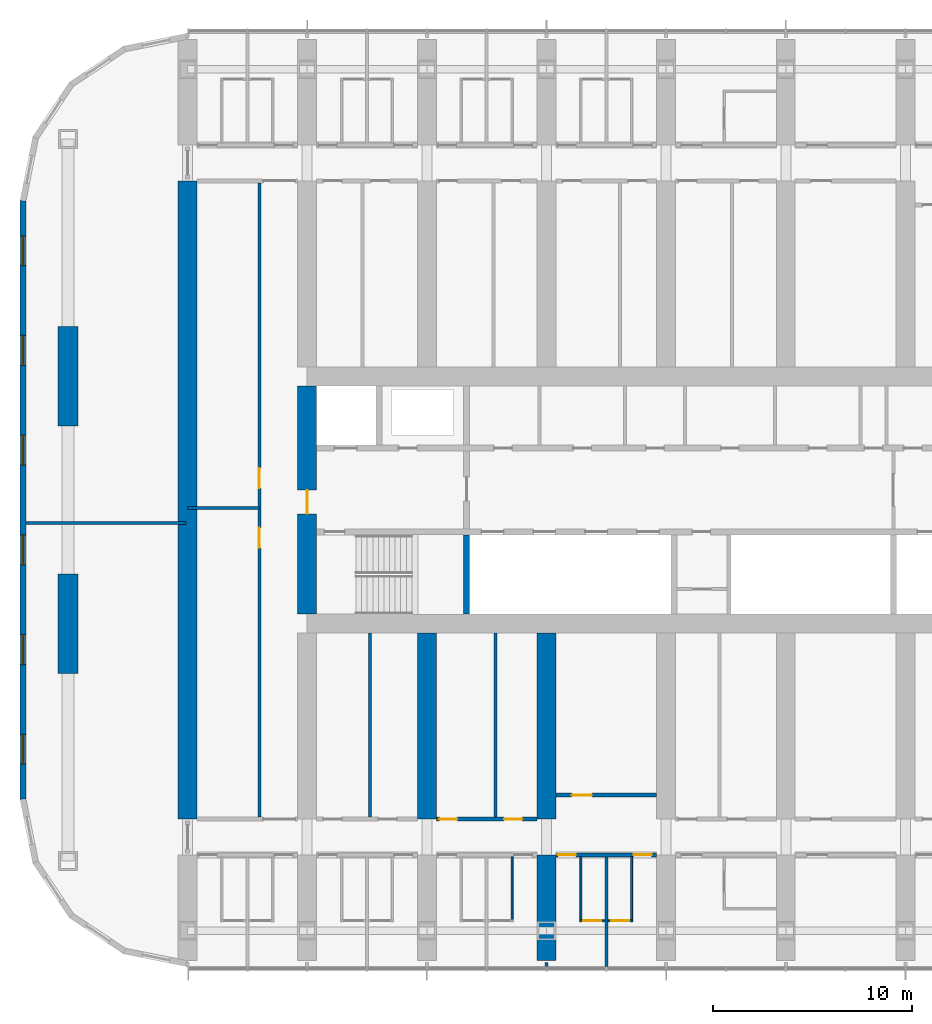
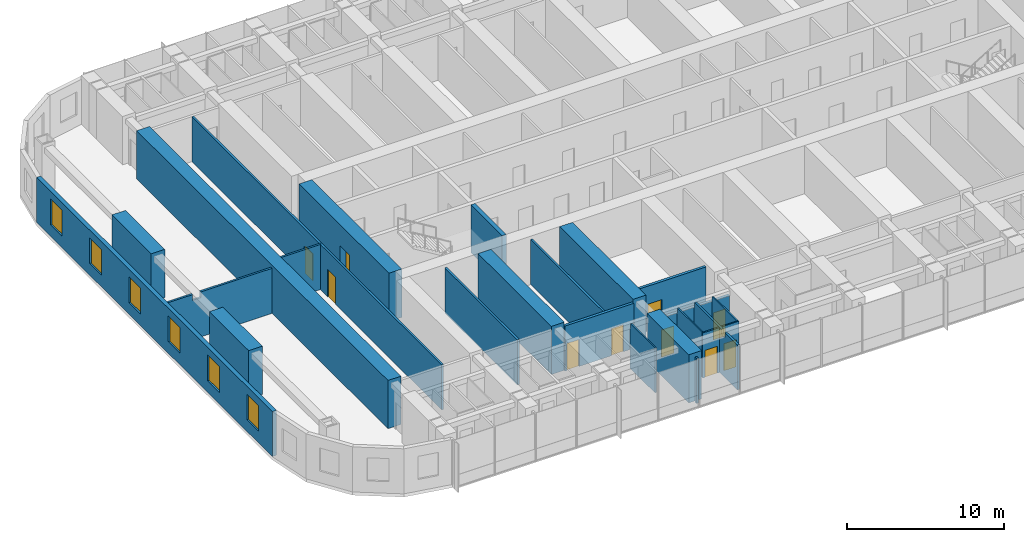
# One storey, part 9 of 22: 24 walls, 10 doors, 6 windows, 16 openings.
"""IFC4 building model written with IfcOpenShell, lengths in metres."""

from ifc_helpers import new_model, si_unit, direction, frame, frame_2d, origin, place, context, subcontext, project, spatial, polyline, rectangle, outline, extrude, material, layer, layer_set, type_object, element, fill, save


model = new_model("IFC4")

# Units and contexts
model_context = context("Model", 3, precision=1e-05, world=origin(), true_north=direction((0.0, 1.0)))
body_context = subcontext(model_context, "Body", "Model", "MODEL_VIEW")
ifc_project = project(units=[si_unit("LENGTHUNIT", "METRE"), si_unit("AREAUNIT", "SQUARE_METRE"), si_unit("VOLUMEUNIT", "CUBIC_METRE"), si_unit("PLANEANGLEUNIT", "RADIAN"), si_unit("MASSUNIT", "GRAM", prefix="KILO")], contexts=[model_context])

# Site, building, storey
site_placement = place(None, origin())
site = spatial("IfcSite", under=ifc_project, at=site_placement, CompositionType="ELEMENT")
building_placement = place(site_placement, origin())
building = spatial("IfcBuilding", under=site, at=building_placement, Name="Orbita Commons", CompositionType="ELEMENT")
storey_placement = place(building_placement, frame((0.0, 0.0, 121.89990234375)))
storey = spatial("IfcBuildingStorey", under=building, at=storey_placement, Name="L30", CompositionType="ELEMENT", Elevation=121.89990234375)

# Wall
ifc_material_1 = material(Name="Concrete C50/60", Category="concrete")
ifc_layer_1 = layer(ifc_material_1, 0.300048828125)
ifc_layer_set_1 = layer_set([ifc_layer_1], Name="Concrete C50/60")
wall_type_1 = type_object("IfcWallType", Name="Core inner wall 300 C50/60", PredefinedType="SHEAR", material=ifc_layer_set_1)
wall_1_placement = place(storey_placement, frame((26.0, 26.27490234375, 0.0), z_axis=(0.0, 0.0, 1.0), x_axis=(0.0, 1.0, 0.0)))
element("IfcWall", 1, at=wall_1_placement, inside=storey, type_object=wall_type_1, Name="Stair S1 wall L30", PredefinedType="SHEAR", context=body_context, shape_type="SweptSolid", body=[
    extrude(rectangle(XDim=3.97509765625, YDim=0.300048828125, at=frame_2d((1.987548828125, 0.0))), origin(), (0.0, 0.0, 1.0), 3.75),
])

# Wall, opening, door
ifc_material_2 = material(Name="Concrete C50/60", Category="concrete")
ifc_layer_2 = layer(ifc_material_2, 0.949951171875)
ifc_layer_set_2 = layer_set([ifc_layer_2], Name="Concrete C50/60")
wall_type_2 = type_object("IfcWallType", Name="Core wall 950 C50/60", PredefinedType="SHEAR", material=ifc_layer_set_2)
wall_2_placement = place(storey_placement, frame((18.0, 26.27490234375, 0.0), z_axis=(0.0, 0.0, 1.0), x_axis=(0.0, 1.0, 0.0)))
wall_2 = element("IfcWall", 2, at=wall_2_placement, inside=storey, type_object=wall_type_2, Name="Core end wall west L30", PredefinedType="SHEAR", context=body_context, shape_type="SweptSolid", body=[
    extrude(rectangle(XDim=11.4501953125, YDim=0.949951171875, at=frame_2d((5.72509765625, 0.0))), origin(), (0.0, 0.0, 1.0), 3.75),
])
opening_1_placement = place(wall_2_placement, frame((5.02490234375, 0.0, 0.0)))
opening_1 = element("IfcOpeningElement", 3, at=opening_1_placement, cuts=wall_2, Name="Opening D01", PredefinedType="OPENING", context=body_context, shape_type="SweptSolid", body=[
    extrude(rectangle(XDim=1.199951171875, YDim=2.10009765625, at=frame_2d((0.60009765625, 1.050048828125))), frame((0.0, 0.48486328125, 0.0), z_axis=(0.0, -1.0, 0.0), x_axis=(1.0, 0.0, 0.0)), (0.0, 0.0, 1.0), 0.969970703125),
])
ifc_material_3 = material(Name="Steel-faced fire door leaf", Category="steel")
door_type_1 = type_object("IfcDoorType", Name="Fire door 90 min 1200x2100", OperationType="SINGLE_SWING_LEFT", PredefinedType="DOOR", material=ifc_material_3)
door_1_placement = place(opening_1_placement, origin())
door_1 = element("IfcDoor", 4, at=door_1_placement, inside=storey, type_object=door_type_1, Name="Firefighting lobby west door", OperationType="SINGLE_SWING_LEFT", OverallHeight=2.10009765625, OverallWidth=1.199951171875, PredefinedType="DOOR", context=body_context, shape_type="SweptSolid", body=[
    extrude(rectangle(XDim=1.199951171875, YDim=2.10009765625, at=frame_2d((0.60009765625, 1.050048828125))), frame((0.0, 0.02490234375, 0.0), z_axis=(0.0, -1.0, 0.0), x_axis=(1.0, 0.0, 0.0)), (0.0, 0.0, 1.0), 0.050048828125),
])
fill(opening_1, door_1)

# Wall, openings, doors
ifc_material_4 = material(Name="Concrete blockwork", Category="masonry")
ifc_layer_3 = layer(ifc_material_4, 0.199951171875)
ifc_layer_set_3 = layer_set([ifc_layer_3], Name="Concrete blockwork")
wall_type_3 = type_object("IfcWallType", Name="Corridor wall 200 blockwork", PredefinedType="SOLIDWALL", material=ifc_layer_set_3)
wall_3_placement = place(storey_placement, frame((30.47509765625, 14.199951171875, 0.0), z_axis=(0.0, 0.0, 1.0), x_axis=(1.0, 0.0, 0.0)))
wall_3 = element("IfcWall", 5, at=wall_3_placement, inside=storey, type_object=wall_type_3, Name="Corridor wall 200 blockwork L30", PredefinedType="SOLIDWALL", context=body_context, shape_type="SweptSolid", body=[
    extrude(outline(polyline([(0.0, 0.0), (5.0498046875, 0.0), (5.050048828125, 3.10009765625), (0.0, 3.10009765625), (0.0, 0.0)])), frame((0.0, 0.10009765625, 0.0), z_axis=(0.0, -1.0, 0.0), x_axis=(1.0, 0.0, 0.0)), (0.0, 0.0, 1.0), 0.199951171875),
])
opening_2_placement = place(wall_3_placement, frame((0.10009765625, 0.0, 0.0)))
opening_2 = element("IfcOpeningElement", 6, at=opening_2_placement, cuts=wall_3, Name="Opening D11", PredefinedType="OPENING", context=body_context, shape_type="SweptSolid", body=[
    extrude(rectangle(XDim=0.89990234375, YDim=2.10009765625, at=frame_2d((0.449951171875, 1.050048828125))), frame((0.0, 0.10986328125, 0.0), z_axis=(0.0, -1.0, 0.0), x_axis=(1.0, 0.0, 0.0)), (0.0, 0.0, 1.0), 0.219970703125),
])
opening_3_placement = place(wall_3_placement, frame((3.89990234375, 0.0, 0.0)))
opening_3 = element("IfcOpeningElement", 7, at=opening_3_placement, cuts=wall_3, Name="Opening D11", PredefinedType="OPENING", context=body_context, shape_type="SweptSolid", body=[
    extrude(rectangle(XDim=0.89990234375, YDim=2.10009765625, at=frame_2d((0.449951171875, 1.050048828125))), frame((0.0, 0.10986328125, 0.0), z_axis=(0.0, -1.0, 0.0), x_axis=(1.0, 0.0, 0.0)), (0.0, 0.0, 1.0), 0.219970703125),
])
ifc_material_5 = material(Name="Steel-faced fire door leaf", Category="steel")
door_type_2 = type_object("IfcDoorType", Name="Corridor door 20 min 900x2100", OperationType="SINGLE_SWING_LEFT", PredefinedType="DOOR", material=ifc_material_5)
door_2_placement = place(opening_2_placement, origin())
door_2 = element("IfcDoor", 8, at=door_2_placement, inside=storey, type_object=door_type_2, Name="Cluster bedroom L30-S06 door", OperationType="SINGLE_SWING_LEFT", OverallHeight=2.10009765625, OverallWidth=0.89990234375, PredefinedType="DOOR", context=body_context, shape_type="SweptSolid", body=[
    extrude(rectangle(XDim=0.89990234375, YDim=2.10009765625, at=frame_2d((0.449951171875, 1.050048828125))), frame((0.0, 0.02490234375, 0.0), z_axis=(0.0, -1.0, 0.0), x_axis=(1.0, 0.0, 0.0)), (0.0, 0.0, 1.0), 0.050048828125),
])
fill(opening_2, door_2)
door_3_placement = place(opening_3_placement, origin())
door_3 = element("IfcDoor", 9, at=door_3_placement, inside=storey, type_object=door_type_2, Name="Cluster bedroom L30-S07 door", OperationType="SINGLE_SWING_LEFT", OverallHeight=2.10009765625, OverallWidth=0.89990234375, PredefinedType="DOOR", context=body_context, shape_type="SweptSolid", body=[
    extrude(rectangle(XDim=0.89990234375, YDim=2.10009765625, at=frame_2d((0.449951171875, 1.050048828125))), frame((0.0, 0.02490234375, 0.0), z_axis=(0.0, -1.0, 0.0), x_axis=(1.0, 0.0, 0.0)), (0.0, 0.0, 1.0), 0.050048828125),
])
fill(opening_3, door_3)

ifc_material_6 = material(Name="Hollow concrete block 200", Category="concrete")
ifc_layer_4 = layer(ifc_material_6, 0.199951171875)
ifc_layer_set_4 = layer_set([ifc_layer_4], Name="Hollow concrete block 200")
wall_type_4 = type_object("IfcWallType", Name="Corridor wall 200 hollow concrete block", PredefinedType="SOLIDWALL", material=ifc_layer_set_4)
wall_4_placement = place(storey_placement, frame((24.47509765625, 16.0, 0.0), z_axis=(0.0, 0.0, 1.0), x_axis=(1.0, 0.0, 0.0)))
wall_4 = element("IfcWall", 10, at=wall_4_placement, inside=storey, type_object=wall_type_4, Name="Corridor wall 200 hollow concrete block L30", PredefinedType="SOLIDWALL", context=body_context, shape_type="SweptSolid", body=[
    extrude(rectangle(XDim=5.0498046875, YDim=0.199951171875, at=frame_2d((2.52490234375, 0.0))), origin(), (0.0, 0.0, 1.0), 3.5),
])
opening_4_placement = place(wall_4_placement, frame((0.14990234375, 0.0, 0.0)))
opening_4 = element("IfcOpeningElement", 11, at=opening_4_placement, cuts=wall_4, Name="Opening D11", PredefinedType="OPENING", context=body_context, shape_type="SweptSolid", body=[
    extrude(rectangle(XDim=0.89990234375, YDim=2.10009765625, at=frame_2d((0.449951171875, 1.050048828125))), frame((0.0, 0.10986328125, 0.0), z_axis=(0.0, -1.0, 0.0), x_axis=(1.0, 0.0, 0.0)), (0.0, 0.0, 1.0), 0.219970703125),
])
opening_5_placement = place(wall_4_placement, frame((3.405029296875, 0.0, 0.0)))
opening_5 = element("IfcOpeningElement", 12, at=opening_5_placement, cuts=wall_4, Name="Opening D11", PredefinedType="OPENING", context=body_context, shape_type="SweptSolid", body=[
    extrude(rectangle(XDim=0.89990234375, YDim=2.10009765625, at=frame_2d((0.449951171875, 1.050048828125))), frame((0.0, 0.10986328125, 0.0), z_axis=(0.0, -1.0, 0.0), x_axis=(1.0, 0.0, 0.0)), (0.0, 0.0, 1.0), 0.219970703125),
])
door_4_placement = place(opening_4_placement, origin())
door_4 = element("IfcDoor", 13, at=door_4_placement, inside=storey, type_object=door_type_2, Name="Quiet room L30-BDS24 door", OperationType="SINGLE_SWING_LEFT", OverallHeight=2.10009765625, OverallWidth=0.89990234375, PredefinedType="DOOR", context=body_context, shape_type="SweptSolid", body=[
    extrude(rectangle(XDim=0.89990234375, YDim=2.10009765625, at=frame_2d((0.449951171875, 1.050048828125))), frame((0.0, 0.02490234375, 0.0), z_axis=(0.0, -1.0, 0.0), x_axis=(1.0, 0.0, 0.0)), (0.0, 0.0, 1.0), 0.050048828125),
])
fill(opening_4, door_4)
door_5_placement = place(opening_5_placement, origin())
door_5 = element("IfcDoor", 14, at=door_5_placement, inside=storey, type_object=door_type_2, Name="Equipment store L30-BDS24n door", OperationType="SINGLE_SWING_LEFT", OverallHeight=2.10009765625, OverallWidth=0.89990234375, PredefinedType="DOOR", context=body_context, shape_type="SweptSolid", body=[
    extrude(rectangle(XDim=0.89990234375, YDim=2.10009765625, at=frame_2d((0.449951171875, 1.050048828125))), frame((0.0, 0.02490234375, 0.0), z_axis=(0.0, -1.0, 0.0), x_axis=(1.0, 0.0, 0.0)), (0.0, 0.0, 1.0), 0.050048828125),
])
fill(opening_5, door_5)

# Wall, opening, door
wall_5_placement = place(storey_placement, frame((30.47509765625, 17.199951171875, 0.0), z_axis=(0.0, 0.0, 1.0), x_axis=(1.0, 0.0, 0.0)))
wall_5 = element("IfcWall", 15, at=wall_5_placement, inside=storey, type_object=wall_type_4, Name="Corridor wall 200 hollow concrete block L30", PredefinedType="SOLIDWALL", context=body_context, shape_type="SweptSolid", body=[
    extrude(rectangle(XDim=5.0498046875, YDim=0.199951171875, at=frame_2d((2.52490234375, 0.0))), origin(), (0.0, 0.0, 1.0), 3.5),
])
opening_6_placement = place(wall_5_placement, frame((0.800048828125, 0.0, 0.0)))
opening_6 = element("IfcOpeningElement", 16, at=opening_6_placement, cuts=wall_5, Name="Opening D06", PredefinedType="OPENING", context=body_context, shape_type="SweptSolid", body=[
    extrude(rectangle(XDim=1.0, YDim=2.10009765625, at=frame_2d((0.5, 1.050048828125))), frame((0.0, 0.10986328125, 0.0), z_axis=(0.0, -1.0, 0.0), x_axis=(1.0, 0.0, 0.0)), (0.0, 0.0, 1.0), 0.219970703125),
])
ifc_material_7 = material(Name="Steel-faced fire door leaf", Category="steel")
door_type_3 = type_object("IfcDoorType", Name="Corridor door 20 min 1000x2100", OperationType="SINGLE_SWING_LEFT", PredefinedType="DOOR", material=ifc_material_7)
door_6_placement = place(opening_6_placement, origin())
door_6 = element("IfcDoor", 17, at=door_6_placement, inside=storey, type_object=door_type_3, Name="Linen store L30-BDS30 door", OperationType="SINGLE_SWING_LEFT", OverallHeight=2.10009765625, OverallWidth=1.0, PredefinedType="DOOR", context=body_context, shape_type="SweptSolid", body=[
    extrude(rectangle(XDim=1.0, YDim=2.10009765625, at=frame_2d((0.5, 1.050048828125))), frame((0.0, 0.02490234375, 0.0), z_axis=(0.0, -1.0, 0.0), x_axis=(1.0, 0.0, 0.0)), (0.0, 0.0, 1.0), 0.050048828125),
])
fill(opening_6, door_6)

# Walls
ifc_material_8 = material(Name="Concrete C50/60", Category="concrete")
ifc_layer_5 = layer(ifc_material_8, 0.949951171875)
ifc_layer_set_5 = layer_set([ifc_layer_5], Name="Concrete C50/60")
wall_type_5 = type_object("IfcWallType", Name="Cross wall 950 C50/60", PredefinedType="SHEAR", material=ifc_layer_set_5)
wall_6_placement = place(storey_placement, frame((12.0, 16.0, 0.0), z_axis=(0.0, 0.0, 1.0), x_axis=(0.0, 1.0, 0.0)))
element("IfcWall", 18, at=wall_6_placement, inside=storey, type_object=wall_type_5, Name="Cross wall 3 inner L30", PredefinedType="SHEAR", context=body_context, shape_type="SweptSolid", body=[
    extrude(rectangle(XDim=32.0, YDim=0.949951171875, at=frame_2d((16.0, 0.0))), origin(), (0.0, 0.0, 1.0), 3.75),
])
wall_7_placement = place(storey_placement, frame((24.0, 16.0, 0.0), z_axis=(0.0, 0.0, 1.0), x_axis=(0.0, 1.0, 0.0)))
element("IfcWall", 19, at=wall_7_placement, inside=storey, type_object=wall_type_5, Name="Cross wall 5 south inner L30", PredefinedType="SHEAR", context=body_context, shape_type="SweptSolid", body=[
    extrude(rectangle(XDim=9.324951171875, YDim=0.949951171875, at=frame_2d((4.66259765625, 0.0))), origin(), (0.0, 0.0, 1.0), 3.75),
])
wall_8_placement = place(storey_placement, frame((30.0, 8.89990234375, 0.0), z_axis=(0.0, 0.0, 1.0), x_axis=(0.0, 1.0, 0.0)))
element("IfcWall", 20, at=wall_8_placement, inside=storey, type_object=wall_type_5, Name="Cross wall 6 south outer L30", PredefinedType="SHEAR", context=body_context, shape_type="SweptSolid", body=[
    extrude(rectangle(XDim=5.300048828125, YDim=0.949951171875, at=frame_2d((2.64990234375, 0.0))), origin(), (0.0, 0.0, 1.0), 3.75),
])
wall_9_placement = place(storey_placement, frame((30.0, 16.0, 0.0), z_axis=(0.0, 0.0, 1.0), x_axis=(0.0, 1.0, 0.0)))
element("IfcWall", 21, at=wall_9_placement, inside=storey, type_object=wall_type_5, Name="Cross wall 6 south inner L30", PredefinedType="SHEAR", context=body_context, shape_type="SweptSolid", body=[
    extrude(rectangle(XDim=9.324951171875, YDim=0.949951171875, at=frame_2d((4.66259765625, 0.0))), origin(), (0.0, 0.0, 1.0), 3.75),
])
ifc_material_9 = material(Name="Moisture-resistant plasterboard on steel studs", Category="steel")
ifc_layer_6 = layer(ifc_material_9, 0.10009765625)
ifc_layer_set_6 = layer_set([ifc_layer_6], Name="Moisture-resistant plasterboard on steel studs")
wall_type_6 = type_object("IfcWallType", Name="En-suite partition 100", PredefinedType="PARTITIONING", material=ifc_layer_set_6)
wall_10_placement = place(storey_placement, frame((28.27490234375, 10.949951171875, 0.0), z_axis=(0.0, 0.0, 1.0), x_axis=(0.0, 1.0, 0.0)))
element("IfcWall", 22, at=wall_10_placement, inside=storey, type_object=wall_type_6, Name="En-suite partition 100 L30", PredefinedType="PARTITIONING", context=body_context, shape_type="SweptSolid", body=[
    extrude(outline(polyline([(0.0, 0.0), (3.150146484375, 0.0), (3.14990234375, 3.10009765625), (3.10205078125, 3.10009765625), (3.10009765625, 3.5), (0.0, 3.5), (0.0, 0.0)])), frame((0.0, 0.050048828125, 0.0), z_axis=(0.0, -1.0, 0.0), x_axis=(1.0, 0.0, 0.0)), (0.0, 0.0, 1.0), 0.10009765625),
])

# Wall, opening, door
wall_11_placement = place(storey_placement, frame((32.925048828125, 10.89990234375, 0.0), z_axis=(0.0, 0.0, 1.0), x_axis=(-1.0, 0.0, 0.0)))
wall_11 = element("IfcWall", 23, at=wall_11_placement, inside=storey, type_object=wall_type_6, Name="En-suite partition 100 L30", PredefinedType="PARTITIONING", context=body_context, shape_type="SweptSolid", body=[
    extrude(rectangle(XDim=1.25, YDim=0.10009765625, at=frame_2d((0.625, 0.0))), origin(), (0.0, 0.0, 1.0), 3.5),
])
opening_7_placement = place(wall_11_placement, frame((0.175048828125, 0.0, 0.0)))
opening_7 = element("IfcOpeningElement", 24, at=opening_7_placement, cuts=wall_11, Name="Opening D09", PredefinedType="OPENING", context=body_context, shape_type="SweptSolid", body=[
    extrude(rectangle(XDim=0.89990234375, YDim=2.10009765625, at=frame_2d((0.449951171875, 1.050048828125))), frame((0.0, 0.06005859375, 0.0), z_axis=(0.0, -1.0, 0.0), x_axis=(1.0, 0.0, 0.0)), (0.0, 0.0, 1.0), 0.1201171875),
])
ifc_material_10 = material(Name="Laminated timber door leaf", Category="wood")
door_type_4 = type_object("IfcDoorType", Name="En-suite door 900x2100", OperationType="SINGLE_SWING_RIGHT", PredefinedType="DOOR", material=ifc_material_10)
door_7_placement = place(opening_7_placement, origin())
door_7 = element("IfcDoor", 25, at=door_7_placement, inside=storey, type_object=door_type_4, Name="En-suite L30-S06 door", OperationType="SINGLE_SWING_RIGHT", OverallHeight=2.10009765625, OverallWidth=0.89990234375, PredefinedType="DOOR", context=body_context, shape_type="SweptSolid", body=[
    extrude(rectangle(XDim=0.89990234375, YDim=2.10009765625, at=frame_2d((0.449951171875, 1.050048828125))), frame((0.0, 0.02490234375, 0.0), z_axis=(0.0, -1.0, 0.0), x_axis=(1.0, 0.0, 0.0)), (0.0, 0.0, 1.0), 0.050048828125),
])
fill(opening_7, door_7)

# Wall
wall_12_placement = place(storey_placement, frame((31.72509765625, 10.949951171875, 0.0), z_axis=(0.0, 0.0, 1.0), x_axis=(0.0, 1.0, 0.0)))
element("IfcWall", 26, at=wall_12_placement, inside=storey, type_object=wall_type_6, Name="En-suite partition 100 L30", PredefinedType="PARTITIONING", context=body_context, shape_type="SweptSolid", body=[
    extrude(outline(polyline([(0.0, 0.0), (3.150146484375, 0.0), (3.14990234375, 3.10009765625), (3.10205078125, 3.10009765625), (3.10009765625, 3.5), (0.0, 3.5), (0.0, 0.0)])), frame((0.0, 0.050048828125, 0.0), z_axis=(0.0, -1.0, 0.0), x_axis=(1.0, 0.0, 0.0)), (0.0, 0.0, 1.0), 0.10009765625),
])

# Wall, opening, door
wall_13_placement = place(storey_placement, frame((34.324951171875, 10.89990234375, 0.0), z_axis=(0.0, 0.0, 1.0), x_axis=(-1.0, 0.0, 0.0)))
wall_13 = element("IfcWall", 27, at=wall_13_placement, inside=storey, type_object=wall_type_6, Name="En-suite partition 100 L30", PredefinedType="PARTITIONING", context=body_context, shape_type="SweptSolid", body=[
    extrude(rectangle(XDim=1.25, YDim=0.10009765625, at=frame_2d((0.625, 0.0))), origin(), (0.0, 0.0, 1.0), 3.5),
])
opening_8_placement = place(wall_13_placement, frame((0.175048828125, 0.0, 0.0)))
opening_8 = element("IfcOpeningElement", 28, at=opening_8_placement, cuts=wall_13, Name="Opening D09", PredefinedType="OPENING", context=body_context, shape_type="SweptSolid", body=[
    extrude(rectangle(XDim=0.89990234375, YDim=2.10009765625, at=frame_2d((0.449951171875, 1.050048828125))), frame((0.0, 0.06005859375, 0.0), z_axis=(0.0, -1.0, 0.0), x_axis=(1.0, 0.0, 0.0)), (0.0, 0.0, 1.0), 0.1201171875),
])
door_8_placement = place(opening_8_placement, origin())
door_8 = element("IfcDoor", 29, at=door_8_placement, inside=storey, type_object=door_type_4, Name="En-suite L30-S07 door", OperationType="SINGLE_SWING_RIGHT", OverallHeight=2.10009765625, OverallWidth=0.89990234375, PredefinedType="DOOR", context=body_context, shape_type="SweptSolid", body=[
    extrude(rectangle(XDim=0.89990234375, YDim=2.10009765625, at=frame_2d((0.449951171875, 1.050048828125))), frame((0.0, 0.02490234375, 0.0), z_axis=(0.0, -1.0, 0.0), x_axis=(1.0, 0.0, 0.0)), (0.0, 0.0, 1.0), 0.050048828125),
])
fill(opening_8, door_8)

# Walls
wall_14_placement = place(storey_placement, frame((34.27490234375, 10.949951171875, 0.0), z_axis=(0.0, 0.0, 1.0), x_axis=(0.0, 1.0, 0.0)))
element("IfcWall", 30, at=wall_14_placement, inside=storey, type_object=wall_type_6, Name="En-suite partition 100 L30", PredefinedType="PARTITIONING", context=body_context, shape_type="SweptSolid", body=[
    extrude(outline(polyline([(0.0, 0.0), (3.150146484375, 0.0), (3.14990234375, 3.10009765625), (3.10205078125, 3.10009765625), (3.10009765625, 3.5), (0.0, 3.5), (0.0, 0.0)])), frame((0.0, 0.050048828125, 0.0), z_axis=(0.0, -1.0, 0.0), x_axis=(1.0, 0.0, 0.0)), (0.0, 0.0, 1.0), 0.10009765625),
])
ifc_material_11 = material(Name="Concrete C50/60", Category="concrete")
ifc_layer_7 = layer(ifc_material_11, 1.0)
ifc_layer_set_7 = layer_set([ifc_layer_7], Name="Concrete C50/60")
wall_type_7 = type_object("IfcWallType", Name="End pier 1000x5000 C50/60", PredefinedType="SHEAR", material=ifc_layer_set_7)
for number, where, z_axis, x_axis, name in (
    (31, (6.0, 23.300048828125, 0.0), (0.0, 0.0, 1.0), (0.0, 1.0, 0.0), "End pier 2/C L30"),
    (32, (6.0, 35.699951171875, 0.0), (0.0, 0.0, 1.0), (0.0, 1.0, 0.0), "End pier 2/D L30"),
):
    element("IfcWall", number, at=place(storey_placement, frame(where, z_axis=z_axis, x_axis=x_axis)), inside=storey, type_object=wall_type_7, Name=name, PredefinedType="SHEAR", context=body_context, shape_type="SweptSolid", body=[
        extrude(rectangle(XDim=5.0, YDim=1.0, at=frame_2d((2.5, 0.0))), origin(), (0.0, 0.0, 1.0), 3.75),
    ])
ifc_material_12 = material(Name="Gypsum plasterboard on steel studs", Category="steel")
ifc_layer_8 = layer(ifc_material_12, 0.14990234375)
ifc_layer_set_8 = layer_set([ifc_layer_8], Name="Gypsum plasterboard on steel studs")
wall_type_8 = type_object("IfcWallType", Name="Partition 150 plasterboard", PredefinedType="PARTITIONING", material=ifc_layer_set_8)
for number, where, z_axis, x_axis, name in (
    (33, (21.155029296875, 16.10009765625, 0.0), (0.0, 0.0, 1.0), (0.0, 1.0, 0.0), "Partition 150 plasterboard L30"),
    (34, (27.455078125, 16.10009765625, 0.0), (0.0, 0.0, 1.0), (0.0, 1.0, 0.0), "Partition 150 plasterboard L30"),
):
    element("IfcWall", number, at=place(storey_placement, frame(where, z_axis=z_axis, x_axis=x_axis)), inside=storey, type_object=wall_type_8, Name=name, PredefinedType="PARTITIONING", context=body_context, shape_type="SweptSolid", body=[
        extrude(rectangle(XDim=9.224853515625, YDim=0.14990234375, at=frame_2d((4.6123046875, 0.0))), origin(), (0.0, 0.0, 1.0), 3.5),
    ])

# Wall, openings, doors
wall_15_placement = place(storey_placement, frame((15.60009765625, 16.10009765625, 0.0), z_axis=(0.0, 0.0, 1.0), x_axis=(0.0, 1.0, 0.0)))
wall_15 = element("IfcWall", 35, at=wall_15_placement, inside=storey, type_object=wall_type_8, Name="Partition 150 plasterboard L30", PredefinedType="PARTITIONING", context=body_context, shape_type="SweptSolid", body=[
    extrude(rectangle(XDim=31.7998046875, YDim=0.14990234375, at=frame_2d((15.89990234375, 0.0))), origin(), (0.0, 0.0, 1.0), 3.5),
])
opening_9_placement = place(wall_15_placement, frame((13.5, 0.0, 0.0)))
opening_9 = element("IfcOpeningElement", 36, at=opening_9_placement, cuts=wall_15, Name="Opening D06", PredefinedType="OPENING", context=body_context, shape_type="SweptSolid", body=[
    extrude(rectangle(XDim=1.0, YDim=2.10009765625, at=frame_2d((0.5, 1.050048828125))), frame((0.0, 0.0849609375, 0.0), z_axis=(0.0, -1.0, 0.0), x_axis=(1.0, 0.0, 0.0)), (0.0, 0.0, 1.0), 0.169921875),
])
opening_10_placement = place(wall_15_placement, frame((16.5, 0.0, 0.0)))
opening_10 = element("IfcOpeningElement", 37, at=opening_10_placement, cuts=wall_15, Name="Opening D06", PredefinedType="OPENING", context=body_context, shape_type="SweptSolid", body=[
    extrude(rectangle(XDim=1.0, YDim=2.10009765625, at=frame_2d((0.5, 1.050048828125))), frame((0.0, 0.0849609375, 0.0), z_axis=(0.0, -1.0, 0.0), x_axis=(1.0, 0.0, 0.0)), (0.0, 0.0, 1.0), 0.169921875),
])
door_9_placement = place(opening_9_placement, origin())
door_9 = element("IfcDoor", 38, at=door_9_placement, inside=storey, type_object=door_type_3, Name="Interview room door", OperationType="SINGLE_SWING_LEFT", OverallHeight=2.10009765625, OverallWidth=1.0, PredefinedType="DOOR", context=body_context, shape_type="SweptSolid", body=[
    extrude(rectangle(XDim=1.0, YDim=2.10009765625, at=frame_2d((0.5, 1.050048828125))), frame((0.0, 0.02490234375, 0.0), z_axis=(0.0, -1.0, 0.0), x_axis=(1.0, 0.0, 0.0)), (0.0, 0.0, 1.0), 0.050048828125),
])
fill(opening_9, door_9)
door_10_placement = place(opening_10_placement, origin())
door_10 = element("IfcDoor", 39, at=door_10_placement, inside=storey, type_object=door_type_3, Name="Prayer room door", OperationType="SINGLE_SWING_LEFT", OverallHeight=2.10009765625, OverallWidth=1.0, PredefinedType="DOOR", context=body_context, shape_type="SweptSolid", body=[
    extrude(rectangle(XDim=1.0, YDim=2.10009765625, at=frame_2d((0.5, 1.050048828125))), frame((0.0, 0.02490234375, 0.0), z_axis=(0.0, -1.0, 0.0), x_axis=(1.0, 0.0, 0.0)), (0.0, 0.0, 1.0), 0.050048828125),
])
fill(opening_10, door_10)

# Walls
wall_16_placement = place(storey_placement, frame((12.0, 31.60009765625, 0.0), z_axis=(0.0, 0.0, 1.0), x_axis=(1.0, 0.0, 0.0)))
element("IfcWall", 40, at=wall_16_placement, inside=storey, type_object=wall_type_8, Name="Partition 150 plasterboard L30", PredefinedType="PARTITIONING", context=body_context, shape_type="SweptSolid", body=[
    extrude(rectangle(XDim=3.60009765625, YDim=0.14990234375, at=frame_2d((1.800048828125, 0.0))), origin(), (0.0, 0.0, 1.0), 3.5),
])
wall_17_placement = place(storey_placement, frame((3.905029296875, 30.85009765625, 0.0), z_axis=(0.0, 0.0, 1.0), x_axis=(1.0, 0.0, 0.0)))
element("IfcWall", 41, at=wall_17_placement, inside=storey, type_object=wall_type_8, Name="Partition 150 plasterboard L30", PredefinedType="PARTITIONING", context=body_context, shape_type="SweptSolid", body=[
    extrude(outline(polyline([(0.0, 0.0), (8.02001953125, 0.0), (8.02001953125, 3.5), (2.39697265625, 3.5), (2.39501953125, 3.050048828125), (1.797119140625, 3.050048828125), (1.794921875, 3.5), (0.0, 3.5), (0.0, 0.0)])), frame((0.0, 0.074951171875, 0.0), z_axis=(0.0, -1.0, 0.0), x_axis=(1.0, 0.0, 0.0)), (0.0, 0.0, 1.0), 0.14990234375),
])
wall_18_placement = place(storey_placement, frame((30.0, 8.800048828125, 0.0), z_axis=(0.0, 0.0, 1.0), x_axis=(0.0, -1.0, 0.0)))
element("IfcWall", 42, at=wall_18_placement, inside=storey, type_object=wall_type_8, Name="Partition 150 plasterboard L30", PredefinedType="PARTITIONING", context=body_context, shape_type="SweptSolid", body=[
    extrude(rectangle(XDim=0.18994140625, YDim=0.14990234375, at=frame_2d((0.094970703125, 0.0))), origin(), (0.0, 0.0, 1.0), 3.5),
])
ifc_material_13 = material(Name="Gypsum plasterboard on steel studs", Category="steel")
ifc_layer_9 = layer(ifc_material_13, 0.14990234375)
ifc_layer_set_9 = layer_set([ifc_layer_9], Name="Gypsum plasterboard on steel studs")
wall_type_9 = type_object("IfcWallType", Name="Party wall 150 plasterboard", PredefinedType="PARTITIONING", material=ifc_layer_set_9)
wall_19_placement = place(storey_placement, frame((33.0, 8.610107421875, 0.0), z_axis=(0.0, 0.0, 1.0), x_axis=(0.0, 1.0, 0.0)))
element("IfcWall", 43, at=wall_19_placement, inside=storey, type_object=wall_type_9, Name="Party wall 150 plasterboard L30", PredefinedType="PARTITIONING", context=body_context, shape_type="SweptSolid", body=[
    extrude(outline(polyline([(0.0, 0.0), (5.489990234375, 0.0), (5.489990234375, 3.10009765625), (5.44189453125, 3.10009765625), (5.43994140625, 3.5), (1.991943359375, 3.5), (1.989990234375, 3.10009765625), (1.592041015625, 3.10009765625), (1.590087890625, 3.5), (0.0, 3.5), (0.0, 0.0)])), frame((0.0, 0.074951171875, 0.0), z_axis=(0.0, -1.0, 0.0), x_axis=(1.0, 0.0, 0.0)), (0.0, 0.0, 1.0), 0.14990234375),
])

# Wall, openings, windows
ifc_material_14 = material(Name="Precast concrete C40/50, white board-marked finish", Category="concrete")
ifc_layer_10 = layer(ifc_material_14, 0.300048828125)
ifc_layer_set_10 = layer_set([ifc_layer_10], Name="Precast concrete C40/50, white board-marked finish")
wall_type_10 = type_object("IfcWallType", Name="Precast concrete end shield 300", PredefinedType="SOLIDWALL", material=ifc_layer_set_10)
wall_20_placement = place(storey_placement, frame((3.75, 47.0, 0.0), z_axis=(0.0, 0.0, 1.0), x_axis=(0.0, -1.0, 0.0)))
wall_20 = element("IfcWall", 44, at=wall_20_placement, inside=storey, type_object=wall_type_10, Name="End shield W L30", PredefinedType="SOLIDWALL", context=body_context, shape_type="SweptSolid", body=[
    extrude(outline(polyline([(-0.014892578125, -0.14990234375), (30.014892578125, -0.14990234375), (29.985107421875, 0.14990234375), (0.014892578125, 0.14990234375), (-0.014892578125, -0.14990234375)])), origin(), (0.0, 0.0, 1.0), 3.5),
])
opening_11_placement = place(wall_20_placement, frame((1.75, 0.0, 0.89990234375)))
opening_11 = element("IfcOpeningElement", 45, at=opening_11_placement, cuts=wall_20, Name="Opening W01", PredefinedType="OPENING", context=body_context, shape_type="SweptSolid", body=[
    extrude(rectangle(XDim=1.5, YDim=2.0, at=frame_2d((0.75, 1.0))), frame((0.0, 0.159912109375, 0.0), z_axis=(0.0, -1.0, 0.0), x_axis=(1.0, 0.0, 0.0)), (0.0, 0.0, 1.0), 0.320068359375),
])
opening_12_placement = place(wall_20_placement, frame((6.75, 0.0, 0.89990234375)))
opening_12 = element("IfcOpeningElement", 46, at=opening_12_placement, cuts=wall_20, Name="Opening W01", PredefinedType="OPENING", context=body_context, shape_type="SweptSolid", body=[
    extrude(rectangle(XDim=1.5, YDim=2.0, at=frame_2d((0.75, 1.0))), frame((0.0, 0.159912109375, 0.0), z_axis=(0.0, -1.0, 0.0), x_axis=(1.0, 0.0, 0.0)), (0.0, 0.0, 1.0), 0.320068359375),
])
opening_13_placement = place(wall_20_placement, frame((11.75, 0.0, 0.89990234375)))
opening_13 = element("IfcOpeningElement", 47, at=opening_13_placement, cuts=wall_20, Name="Opening W01", PredefinedType="OPENING", context=body_context, shape_type="SweptSolid", body=[
    extrude(rectangle(XDim=1.5, YDim=2.0, at=frame_2d((0.75, 1.0))), frame((0.0, 0.159912109375, 0.0), z_axis=(0.0, -1.0, 0.0), x_axis=(1.0, 0.0, 0.0)), (0.0, 0.0, 1.0), 0.320068359375),
])
opening_14_placement = place(wall_20_placement, frame((16.75, 0.0, 0.89990234375)))
opening_14 = element("IfcOpeningElement", 48, at=opening_14_placement, cuts=wall_20, Name="Opening W01", PredefinedType="OPENING", context=body_context, shape_type="SweptSolid", body=[
    extrude(rectangle(XDim=1.5, YDim=2.0, at=frame_2d((0.75, 1.0))), frame((0.0, 0.159912109375, 0.0), z_axis=(0.0, -1.0, 0.0), x_axis=(1.0, 0.0, 0.0)), (0.0, 0.0, 1.0), 0.320068359375),
])
opening_15_placement = place(wall_20_placement, frame((21.75, 0.0, 0.89990234375)))
opening_15 = element("IfcOpeningElement", 49, at=opening_15_placement, cuts=wall_20, Name="Opening W01", PredefinedType="OPENING", context=body_context, shape_type="SweptSolid", body=[
    extrude(rectangle(XDim=1.5, YDim=2.0, at=frame_2d((0.75, 1.0))), frame((0.0, 0.159912109375, 0.0), z_axis=(0.0, -1.0, 0.0), x_axis=(1.0, 0.0, 0.0)), (0.0, 0.0, 1.0), 0.320068359375),
])
opening_16_placement = place(wall_20_placement, frame((26.75, 0.0, 0.89990234375)))
opening_16 = element("IfcOpeningElement", 50, at=opening_16_placement, cuts=wall_20, Name="Opening W01", PredefinedType="OPENING", context=body_context, shape_type="SweptSolid", body=[
    extrude(rectangle(XDim=1.5, YDim=2.0, at=frame_2d((0.75, 1.0))), frame((0.0, 0.159912109375, 0.0), z_axis=(0.0, -1.0, 0.0), x_axis=(1.0, 0.0, 0.0)), (0.0, 0.0, 1.0), 0.320068359375),
])
ifc_material_15 = material(Name="Aluminium frame, clear double glazing", Category="aluminium")
window_type = type_object("IfcWindowType", Name="Deep-set window 1500x2000", PartitioningType="SINGLE_PANEL", PredefinedType="WINDOW", material=ifc_material_15)
window_1_placement = place(opening_11_placement, origin())
window_1 = element("IfcWindow", 51, at=window_1_placement, inside=storey, type_object=window_type, Name="Window L30-W 1", OverallHeight=2.0, OverallWidth=1.5, PartitioningType="SINGLE_PANEL", PredefinedType="WINDOW", context=body_context, shape_type="SweptSolid", body=[
    extrude(rectangle(XDim=1.5, YDim=2.0, at=frame_2d((0.75, 1.0))), frame((0.0, 0.030029296875, 0.0), z_axis=(0.0, -1.0, 0.0), x_axis=(1.0, 0.0, 0.0)), (0.0, 0.0, 1.0), 0.06005859375),
])
fill(opening_11, window_1)
window_2_placement = place(opening_12_placement, origin())
window_2 = element("IfcWindow", 52, at=window_2_placement, inside=storey, type_object=window_type, Name="Window L30-W 2", OverallHeight=2.0, OverallWidth=1.5, PartitioningType="SINGLE_PANEL", PredefinedType="WINDOW", context=body_context, shape_type="SweptSolid", body=[
    extrude(rectangle(XDim=1.5, YDim=2.0, at=frame_2d((0.75, 1.0))), frame((0.0, 0.030029296875, 0.0), z_axis=(0.0, -1.0, 0.0), x_axis=(1.0, 0.0, 0.0)), (0.0, 0.0, 1.0), 0.06005859375),
])
fill(opening_12, window_2)
window_3_placement = place(opening_13_placement, origin())
window_3 = element("IfcWindow", 53, at=window_3_placement, inside=storey, type_object=window_type, Name="Window L30-W 3", OverallHeight=2.0, OverallWidth=1.5, PartitioningType="SINGLE_PANEL", PredefinedType="WINDOW", context=body_context, shape_type="SweptSolid", body=[
    extrude(rectangle(XDim=1.5, YDim=2.0, at=frame_2d((0.75, 1.0))), frame((0.0, 0.030029296875, 0.0), z_axis=(0.0, -1.0, 0.0), x_axis=(1.0, 0.0, 0.0)), (0.0, 0.0, 1.0), 0.06005859375),
])
fill(opening_13, window_3)
window_4_placement = place(opening_14_placement, origin())
window_4 = element("IfcWindow", 54, at=window_4_placement, inside=storey, type_object=window_type, Name="Window L30-W 4", OverallHeight=2.0, OverallWidth=1.5, PartitioningType="SINGLE_PANEL", PredefinedType="WINDOW", context=body_context, shape_type="SweptSolid", body=[
    extrude(rectangle(XDim=1.5, YDim=2.0, at=frame_2d((0.75, 1.0))), frame((0.0, 0.030029296875, 0.0), z_axis=(0.0, -1.0, 0.0), x_axis=(1.0, 0.0, 0.0)), (0.0, 0.0, 1.0), 0.06005859375),
])
fill(opening_14, window_4)
window_5_placement = place(opening_15_placement, origin())
window_5 = element("IfcWindow", 55, at=window_5_placement, inside=storey, type_object=window_type, Name="Window L30-W 5", OverallHeight=2.0, OverallWidth=1.5, PartitioningType="SINGLE_PANEL", PredefinedType="WINDOW", context=body_context, shape_type="SweptSolid", body=[
    extrude(rectangle(XDim=1.5, YDim=2.0, at=frame_2d((0.75, 1.0))), frame((0.0, 0.030029296875, 0.0), z_axis=(0.0, -1.0, 0.0), x_axis=(1.0, 0.0, 0.0)), (0.0, 0.0, 1.0), 0.06005859375),
])
fill(opening_15, window_5)
window_6_placement = place(opening_16_placement, origin())
window_6 = element("IfcWindow", 56, at=window_6_placement, inside=storey, type_object=window_type, Name="Window L30-W 6", OverallHeight=2.0, OverallWidth=1.5, PartitioningType="SINGLE_PANEL", PredefinedType="WINDOW", context=body_context, shape_type="SweptSolid", body=[
    extrude(rectangle(XDim=1.5, YDim=2.0, at=frame_2d((0.75, 1.0))), frame((0.0, 0.030029296875, 0.0), z_axis=(0.0, -1.0, 0.0), x_axis=(1.0, 0.0, 0.0)), (0.0, 0.0, 1.0), 0.06005859375),
])
fill(opening_16, window_6)

save(model, "model.ifc")
